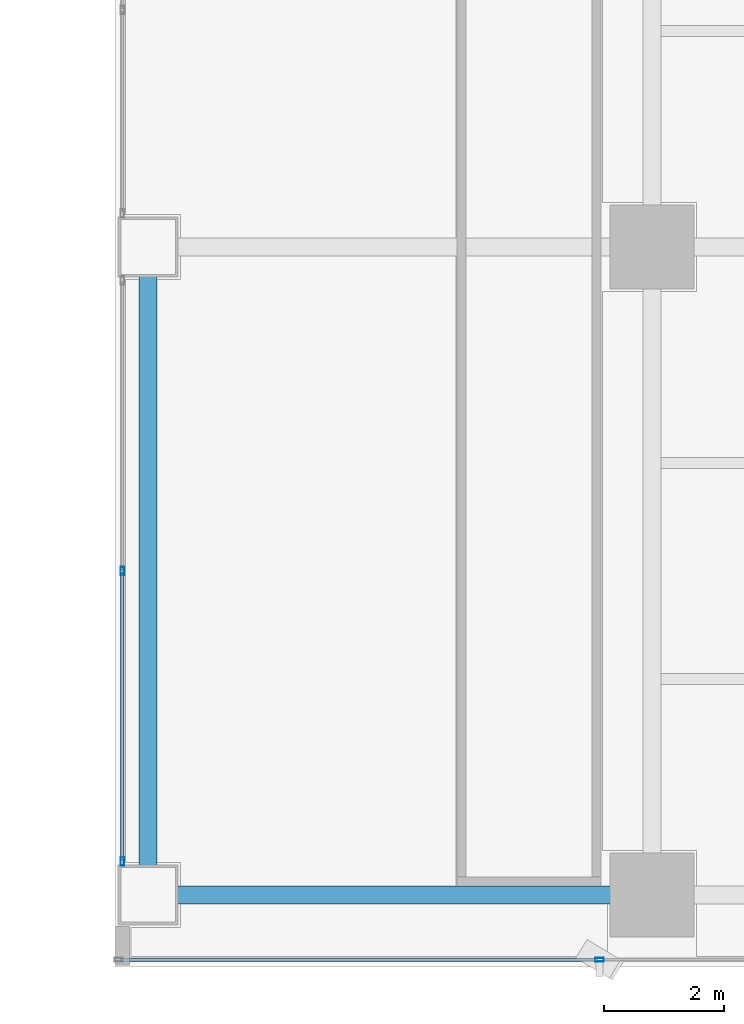
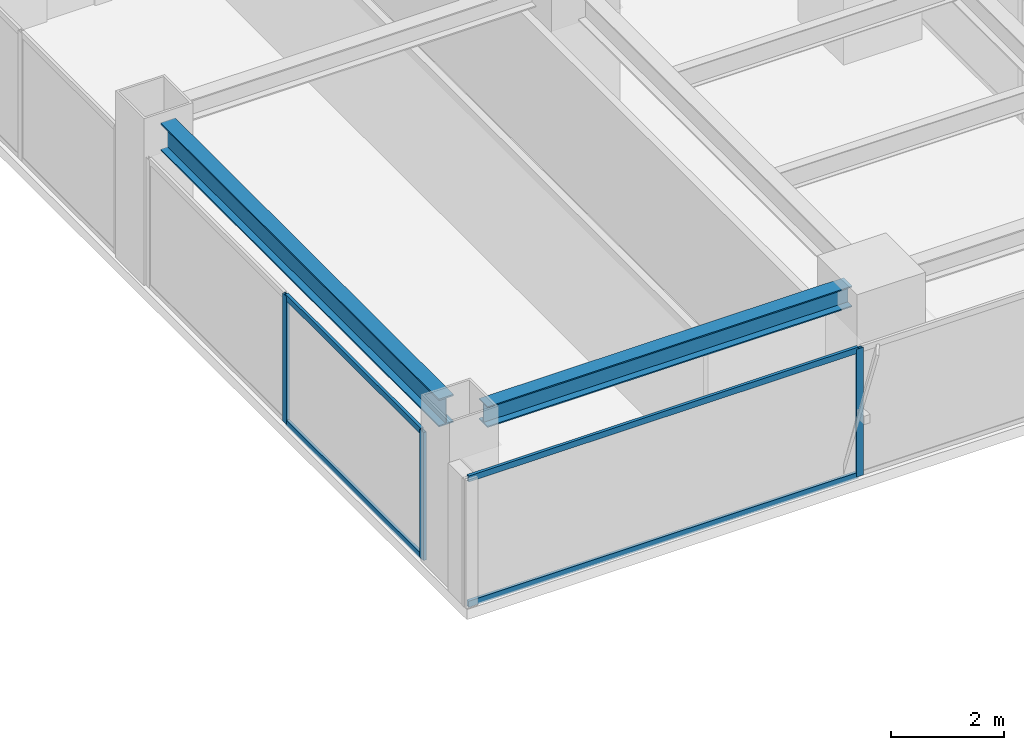
# One storey, part 12 of 29: 7 members, 2 beams, 2 elements without a shape of their own.
"""IFC4 building model written with IfcOpenShell, lengths in metres."""

import ifcopenshell
import ifcopenshell.guid

model = None  # the IFC model being written
_history = None  # IfcOwnerHistory: only IFC2X3 demands one
_inside = {}  # id of a spatial element -> (the spatial element, [elements in it])
_under = {}  # id of a project, library or spatial element -> (it, [spatial elements below it])
_declared = {}  # id of a project -> (the project, [libraries it declares])
_typed = {}  # id of a type object -> (the type object, [elements of that type])
_made_of = {}  # id of a material, layer set ... -> (it, [elements and type objects made of it])


def new_model(schema):
    """Start an empty IFC model of exactly this schema.

    Asked for "IFC4X3", IfcOpenShell would pick the latest addendum, in which some entities
    have other attributes; the version numbers below select the first issue.
    IFC2X3 requires an IfcOwnerHistory on every rooted entity: one is made here for all.
    """
    global model, _history
    if schema == "IFC4X3":
        model = ifcopenshell.file(schema_version=(4, 3, 0, 0))
    else:
        model = ifcopenshell.file(schema=schema)
    _inside.clear()
    _under.clear()
    _declared.clear()
    _typed.clear()
    _made_of.clear()
    _history = None
    if model.schema == "IFC2X3":
        org = make("IfcOrganization", Name="unknown")
        user = make(
            "IfcPersonAndOrganization",
            ThePerson=make("IfcPerson", FamilyName="unknown"),
            TheOrganization=org,
        )
        app = make(
            "IfcApplication",
            ApplicationDeveloper=org,
            Version="unknown",
            ApplicationFullName="unknown",
            ApplicationIdentifier="unknown",
        )
        _history = make(
            "IfcOwnerHistory",
            OwningUser=user,
            OwningApplication=app,
            ChangeAction="ADDED",
            CreationDate=0,
        )
    return model


def make(cls, **values):
    """One entity of the class cls with the attributes given. An attribute that is None is left unset."""
    return model.create_entity(
        cls, **{name: value for name, value in values.items() if value is not None}
    )


def rooted(cls, **values):
    """An entity with a GlobalId (a new one), such as an element, a storey or a relation."""
    return make(cls, GlobalId=ifcopenshell.guid.new(), OwnerHistory=_history, **values)


def si_unit(unit_type, name, prefix=None):
    """IfcSIUnit, for example si_unit("LENGTHUNIT", "METRE", prefix="MILLI")."""
    return make("IfcSIUnit", UnitType=unit_type, Prefix=prefix, Name=name)


def assignment(units):
    """IfcUnitAssignment: the units of a project."""
    return None if units is None else make("IfcUnitAssignment", Units=units)


def point(xyz):
    """IfcCartesianPoint."""
    return None if xyz is None else make("IfcCartesianPoint", Coordinates=xyz)


def direction(xyz):
    """IfcDirection."""
    return None if xyz is None else make("IfcDirection", DirectionRatios=xyz)


def frame(location, z_axis=None, x_axis=None):
    """IfcAxis2Placement3D, a coordinate frame: its origin and axes. An axis left out is left unset."""
    return make(
        "IfcAxis2Placement3D",
        Location=point(location),
        Axis=direction(z_axis),
        RefDirection=direction(x_axis),
    )


def frame_2d(location, x_axis=None):
    """IfcAxis2Placement2D, a coordinate frame in the plane: its origin and x axis."""
    return make(
        "IfcAxis2Placement2D", Location=point(location), RefDirection=direction(x_axis)
    )


def origin():
    """The frame at (0, 0, 0) with its axes left unset."""
    return frame((0.0, 0.0, 0.0))


def origin_2d():
    """The frame at (0, 0) in the plane with its x axis left unset."""
    return frame_2d((0.0, 0.0))


def place(relative_to, where):
    """IfcLocalPlacement: puts the frame where relative to a parent placement (None: the world)."""
    return make(
        "IfcLocalPlacement", PlacementRelTo=relative_to, RelativePlacement=where
    )


def context(
    kind, dimensions, precision=None, world=None, true_north=None, identifier=None
):
    """IfcGeometricRepresentationContext, for example the 3D "Model" context."""
    return make(
        "IfcGeometricRepresentationContext",
        ContextIdentifier=identifier,
        ContextType=kind,
        CoordinateSpaceDimension=dimensions,
        Precision=precision,
        WorldCoordinateSystem=world,
        TrueNorth=true_north,
    )


def subcontext(parent, identifier, kind, view, scale=None):
    """IfcGeometricRepresentationSubContext, for example "Body" below "Model"."""
    return make(
        "IfcGeometricRepresentationSubContext",
        ContextIdentifier=identifier,
        ContextType=kind,
        ParentContext=parent,
        TargetScale=scale,
        TargetView=view,
    )


def project(units=None, contexts=None):
    """IfcProject with its units and contexts."""
    return rooted(
        "IfcProject",
        Name="project",
        RepresentationContexts=contexts,
        UnitsInContext=assignment(units),
    )


def spatial(cls, under=None, at=None, **own):
    """A site, building, storey or space (cls), placed at a placement, below another one or the project."""
    s = rooted(cls, ObjectPlacement=at, **own)
    if under is not None:
        _under.setdefault(under.id(), (under, []))[1].append(s)
    return s


def profile(cls, at=None, kind="AREA", **sizes):
    """A parametric profile (cls). Its sizes go by their IFC names, for example OverallWidth=200.0."""
    return make(cls, ProfileType=kind, Position=at, **sizes)


def hollow_rectangle(**sizes):
    """IfcRectangleHollowProfileDef."""
    return profile("IfcRectangleHollowProfileDef", **sizes)


def i_section(**sizes):
    """IfcIShapeProfileDef."""
    return profile("IfcIShapeProfileDef", **sizes)


def extrude(swept, where, along, depth):
    """IfcExtrudedAreaSolid: the profile swept, set in the frame where, extruded along a direction by depth."""
    return make(
        "IfcExtrudedAreaSolid",
        SweptArea=swept,
        Position=where,
        ExtrudedDirection=direction(along),
        Depth=depth,
    )


def shape(context_of_items, identifier, shape_type, items):
    """IfcShapeRepresentation: the items that make up one representation, for example the "Body"."""
    return make(
        "IfcShapeRepresentation",
        ContextOfItems=context_of_items,
        RepresentationIdentifier=identifier,
        RepresentationType=shape_type,
        Items=items,
    )


def source(mapping_origin, context_of_items, identifier, shape_type, items):
    """IfcRepresentationMap: a shape defined once, which mapped items show again and again."""
    return make(
        "IfcRepresentationMap",
        MappingOrigin=mapping_origin,
        MappedRepresentation=shape(context_of_items, identifier, shape_type, items),
    )


def transform(
    local_origin,
    x_axis=None,
    y_axis=None,
    z_axis=None,
    scale=None,
    scale2=None,
    scale3=None,
    uniform=True,
):
    """IfcCartesianTransformationOperator3D, or its non-uniform kind. x_axis, y_axis, z_axis: its Axis1, 2, 3."""
    if uniform:
        return make(
            "IfcCartesianTransformationOperator3D",
            Axis1=direction(x_axis),
            Axis2=direction(y_axis),
            LocalOrigin=point(local_origin),
            Scale=scale,
            Axis3=direction(z_axis),
        )
    return make(
        "IfcCartesianTransformationOperator3DnonUniform",
        Axis1=direction(x_axis),
        Axis2=direction(y_axis),
        LocalOrigin=point(local_origin),
        Scale=scale,
        Axis3=direction(z_axis),
        Scale2=scale2,
        Scale3=scale3,
    )


def mapped(mapping_source, mapping_target):
    """IfcMappedItem: shows the shape of a source again, moved by a transform."""
    return make(
        "IfcMappedItem", MappingSource=mapping_source, MappingTarget=mapping_target
    )


def material(Name=None, Category=None):
    """IfcMaterial."""
    return make("IfcMaterial", Name=Name, Category=Category)


def layer(
    of_material, thickness, ventilated=None, Name=None, Category=None, Priority=None
):
    """IfcMaterialLayer: one layer of a wall or slab, of a material (None: an air gap)."""
    return make(
        "IfcMaterialLayer",
        Material=of_material,
        LayerThickness=thickness,
        IsVentilated=ventilated,
        Name=Name,
        Category=Category,
        Priority=Priority,
    )


def layer_set(layers, Name=None):
    """IfcMaterialLayerSet."""
    return make("IfcMaterialLayerSet", MaterialLayers=layers, LayerSetName=Name)


def material_profile(
    of_material, cross_section, Name=None, Category=None, Priority=None
):
    """IfcMaterialProfile: a cross section and its material."""
    return make(
        "IfcMaterialProfile",
        Name=Name,
        Material=of_material,
        Profile=cross_section,
        Priority=Priority,
        Category=Category,
    )


def profile_set(profiles, Name=None, composite=None):
    """IfcMaterialProfileSet."""
    return make(
        "IfcMaterialProfileSet",
        Name=Name,
        MaterialProfiles=profiles,
        CompositeProfile=composite,
    )


def made_of(thing, what):
    """Note that an element or type object is made of a material, layer set ...; save() writes the relation."""
    if what is not None:
        _made_of.setdefault(what.id(), (what, []))[1].append(thing)
    return thing


def type_object(cls, material=None, **own):
    """A type object (cls), such as IfcWallType, which elements share."""
    return made_of(rooted(cls, **own), material)


def element(
    cls,
    number,
    at=None,
    inside=None,
    cuts=None,
    type_object=None,
    material=None,
    context=None,
    identifier="Body",
    shape_type=None,
    held_by="IfcProductDefinitionShape",
    body=None,
    shapes=None,
    **own,
):
    """One element of the class cls, such as IfcWall. Its Tag is "e" and its number.

    at: its placement. inside: the storey or other place that contains it. cuts: it is an
    opening in that element (IfcRelVoidsElement). A single representation is given by context,
    identifier, shape_type and body (its items); several are given by shapes. held_by: the class
    of the entity that holds the representations. save() writes the other relations.
    """
    e = rooted(cls, Tag="e%d" % number, ObjectPlacement=at, **own)
    if body is not None:
        shapes = [shape(context, identifier, shape_type, body)]
    if shapes is not None:
        e.Representation = make(held_by, Representations=shapes)
    if inside is not None:
        _inside.setdefault(inside.id(), (inside, []))[1].append(e)
    if cuts is not None:
        rooted(
            "IfcRelVoidsElement", RelatingBuildingElement=cuts, RelatedOpeningElement=e
        )
    if type_object is not None:
        _typed.setdefault(type_object.id(), (type_object, []))[1].append(e)
    return made_of(e, material)


def aggregate(whole, parts):
    """IfcRelAggregates: a whole, such as a stair, and the parts it consists of."""
    return rooted("IfcRelAggregates", RelatingObject=whole, RelatedObjects=parts)


def save(model, path):
    """Write the relations noted so far, then the file.

    IfcRelAggregates (storeys below a building ...), IfcRelContainedInSpatialStructure (elements
    in a storey), IfcRelDefinesByType, IfcRelAssociatesMaterial and IfcRelDeclares: one each for
    every whole, place, type object, material and project.
    """
    for whole, parts in _under.values():
        aggregate(whole, parts)
    for where, things in _inside.values():
        rooted(
            "IfcRelContainedInSpatialStructure",
            RelatedElements=things,
            RelatingStructure=where,
        )
    for kind, things in _typed.values():
        rooted("IfcRelDefinesByType", RelatedObjects=things, RelatingType=kind)
    for what, things in _made_of.values():
        rooted("IfcRelAssociatesMaterial", RelatedObjects=things, RelatingMaterial=what)
    for by, libraries in _declared.values():
        rooted("IfcRelDeclares", RelatingContext=by, RelatedDefinitions=libraries)
    model.write(path)


model = new_model("IFC4")

# Units and contexts
model_context = context("Model", 3, precision=1e-05, world=origin(), true_north=direction((0.0, 1.0)))
body_context = subcontext(model_context, "Body", "Model", "MODEL_VIEW")
ifc_project = project(units=[si_unit("LENGTHUNIT", "METRE"), si_unit("AREAUNIT", "SQUARE_METRE"), si_unit("VOLUMEUNIT", "CUBIC_METRE"), si_unit("PLANEANGLEUNIT", "RADIAN"), si_unit("MASSUNIT", "GRAM", prefix="KILO")], contexts=[model_context])

# Site, building, storey
site_placement = place(None, origin())
site = spatial("IfcSite", under=ifc_project, at=site_placement, CompositionType="ELEMENT")
building_placement = place(site_placement, origin())
building = spatial("IfcBuilding", under=site, at=building_placement, Name="Sumidabori Civic Tower", CompositionType="ELEMENT")
storey_placement = place(building_placement, frame((0.0, 0.0, 207.199951171875)))
storey = spatial("IfcBuildingStorey", under=building, at=storey_placement, Name="L53", CompositionType="ELEMENT", Elevation=207.199951171875)

# Beams
ifc_material_1 = material(Name="Steel SN490", Category="steel")
ifc_material_profile_1 = material_profile(ifc_material_1, i_section(OverallWidth=0.300048828125, OverallDepth=0.60009765625, WebThickness=0.015380859375, FlangeThickness=0.030029296875, at=origin_2d()), Name="HE 600 B")
ifc_profile_set_1 = profile_set([ifc_material_profile_1], Name="Steel SN490")
beam_type_1 = type_object("IfcBeamType", Name="BM-GIRD-600", PredefinedType="BEAM", material=ifc_profile_set_1)
shared_shape_1 = source(origin(), body_context, "Body", "SweptSolid", [
    extrude(i_section(OverallWidth=0.300048828125, OverallDepth=0.60009765625, WebThickness=0.015380859375, FlangeThickness=0.030029296875, at=origin_2d()), origin(), (0.0, 0.0, 1.0), 9.840087890625),
])
beam_1_placement = place(storey_placement, frame((8.39990234375, -10.320068359375, 3.080078125), z_axis=(0.0, 1.0, 0.0), x_axis=(-1.0, 0.0, 0.0)))
element("IfcBeam", 1, at=beam_1_placement, inside=storey, type_object=beam_type_1, Name="Primary Girder L53 GY-18", PredefinedType="BEAM", context=body_context, shape_type="MappedRepresentation", body=[
    mapped(shared_shape_1, transform((0.0, 0.0, 0.0), x_axis=(1.0, 0.0, 0.0), y_axis=(0.0, 1.0, 0.0), z_axis=(0.0, 0.0, 1.0), scale=1.0)),
])
ifc_material_profile_2 = material_profile(ifc_material_1, i_section(OverallWidth=0.300048828125, OverallDepth=0.449951171875, WebThickness=0.013916015625, FlangeThickness=0.02587890625, at=origin_2d()), Name="HE 450 B")
ifc_profile_set_2 = profile_set([ifc_material_profile_2], Name="Steel SN490")
beam_type_2 = type_object("IfcBeamType", Name="BM-GIRD-450", PredefinedType="BEAM", material=ifc_profile_set_2)
shared_shape_2 = source(origin(), body_context, "Body", "SweptSolid", [
    extrude(i_section(OverallWidth=0.300048828125, OverallDepth=0.449951171875, WebThickness=0.013916015625, FlangeThickness=0.02587890625, at=origin_2d()), origin(), (0.0, 0.0, 1.0), 7.440185546875),
])
beam_2_placement = place(storey_placement, frame((8.8798828125, -10.800048828125, 3.155029296875), z_axis=(1.0, 0.0, 0.0), x_axis=(0.0, 1.0, 0.0)))
element("IfcBeam", 2, at=beam_2_placement, inside=storey, type_object=beam_type_2, Name="Primary Girder L53 GX-03", PredefinedType="BEAM", context=body_context, shape_type="MappedRepresentation", body=[
    mapped(shared_shape_2, transform((0.0, 0.0, 0.0), x_axis=(1.0, 0.0, 0.0), y_axis=(0.0, 1.0, 0.0), z_axis=(0.0, 0.0, 1.0), scale=1.0)),
])

# Curtain wall, members
ifc_material_2 = material(Name="Anodised Bronze Aluminium AW-6063-T6", Category="aluminium")
ifc_layer_1 = layer(ifc_material_2, 0.179931640625, Name="Anodised Bronze Aluminium AW-6063-T6")
ifc_layer_set_1 = layer_set([ifc_layer_1], Name="Anodised Bronze Aluminium AW-6063-T6")
curtain_wall_type_1 = type_object("IfcCurtainWallType", Name="CW-SYS-4", PredefinedType="NOTDEFINED", material=ifc_layer_set_1)
curtain_wall_1_placement = place(storey_placement, origin())
curtain_wall_1 = element("IfcCurtainWall", 3, at=curtain_wall_1_placement, inside=storey, type_object=curtain_wall_type_1, Name="Curtain Wall CW:L53:R07", PredefinedType="NOTDEFINED")
ifc_material_profile_3 = material_profile(ifc_material_2, hollow_rectangle(XDim=0.06005859375, YDim=0.139892578125, WallThickness=0.0048828125, at=origin_2d()), Name="ALU MULLION 140x60")
ifc_profile_set_3 = profile_set([ifc_material_profile_3], Name="Anodised Bronze Aluminium AW-6063-T6")
member_type_1 = type_object("IfcMemberType", Name="CW-MUL-140", PredefinedType="MULLION", material=ifc_profile_set_3)
shared_shape_3 = source(origin(), body_context, "Body", "SweptSolid", [
    extrude(hollow_rectangle(XDim=0.06005859375, YDim=0.139892578125, WallThickness=0.0048828125, at=origin_2d()), origin(), (0.0, 0.0, 1.0), 2.760009765625),
])
member_1_placement = place(storey_placement, frame((7.969970703125, -5.39990234375, 0.0), z_axis=(0.0, 0.0, 1.0), x_axis=(1.0, 0.0, 0.0)))
member_1 = element("IfcMember", 4, at=member_1_placement, type_object=member_type_1, Name="CW-4 mullion 2", PredefinedType="MULLION", context=body_context, shape_type="MappedRepresentation", body=[
    mapped(shared_shape_3, transform((0.0, 0.0, 0.0), x_axis=(1.0, 0.0, 0.0), y_axis=(0.0, 1.0, 0.0), z_axis=(0.0, 0.0, 1.0), scale=1.0)),
])
member_2_placement = place(storey_placement, frame((7.969970703125, -10.239990234375, 0.0), z_axis=(0.0, 0.0, 1.0), x_axis=(1.0, 0.0, 0.0)))
member_2 = element("IfcMember", 5, at=member_2_placement, type_object=member_type_1, Name="CW-4 mullion 3", PredefinedType="MULLION", context=body_context, shape_type="MappedRepresentation", body=[
    mapped(shared_shape_3, transform((0.0, 0.0, 0.0), x_axis=(1.0, 0.0, 0.0), y_axis=(0.0, 1.0, 0.0), z_axis=(0.0, 0.0, 1.0), scale=1.0)),
])

ifc_layer_2 = layer(ifc_material_2, 0.179931640625, Name="Anodised Bronze Aluminium AW-6063-T6")
ifc_layer_set_2 = layer_set([ifc_layer_2], Name="Anodised Bronze Aluminium AW-6063-T6")
curtain_wall_type_2 = type_object("IfcCurtainWallType", Name="CW-SYS-5", PredefinedType="NOTDEFINED", material=ifc_layer_set_2)
curtain_wall_2_placement = place(storey_placement, origin())
curtain_wall_2 = element("IfcCurtainWall", 6, at=curtain_wall_2_placement, inside=storey, type_object=curtain_wall_type_2, Name="Curtain Wall CW:L53:R09", PredefinedType="NOTDEFINED")
member_3_placement = place(storey_placement, frame((15.925048828125, -11.8798828125, 0.0), z_axis=(0.0, 0.0, 1.0), x_axis=(0.0, 1.0, 0.0)))
member_3 = element("IfcMember", 7, at=member_3_placement, type_object=member_type_1, Name="CW-5 mullion 2", PredefinedType="MULLION", context=body_context, shape_type="MappedRepresentation", body=[
    mapped(shared_shape_3, transform((0.0, 0.0, 0.0), x_axis=(1.0, 0.0, 0.0), y_axis=(0.0, 1.0, 0.0), z_axis=(0.0, 0.0, 1.0), scale=1.0)),
])
ifc_material_profile_4 = material_profile(ifc_material_2, hollow_rectangle(XDim=0.06005859375, YDim=0.1298828125, WallThickness=0.0048828125, at=origin_2d()), Name="ALU TRANSOM 130x60")
ifc_profile_set_4 = profile_set([ifc_material_profile_4], Name="Anodised Bronze Aluminium AW-6063-T6")
member_type_2 = type_object("IfcMemberType", Name="CW-TRN-130", PredefinedType="USERDEFINED", material=ifc_profile_set_4)
shared_shape_4 = source(origin(), body_context, "Body", "SweptSolid", [
    extrude(hollow_rectangle(XDim=0.06005859375, YDim=0.1298828125, WallThickness=0.0048828125, at=origin_2d()), origin(), (0.0, 0.0, 1.0), 7.955078125),
])
member_4_placement = place(storey_placement, frame((7.93994140625, -11.8798828125, 0.030029296875), z_axis=(1.0, 0.0, 0.0), x_axis=(0.0, 1.0, 0.0)))
member_4 = element("IfcMember", 8, at=member_4_placement, type_object=member_type_2, Name="CW-5 transom 1.1", ObjectType="TRANSOM", PredefinedType="USERDEFINED", context=body_context, shape_type="MappedRepresentation", body=[
    mapped(shared_shape_4, transform((0.0, 0.0, 0.0), x_axis=(1.0, 0.0, 0.0), y_axis=(0.0, 1.0, 0.0), z_axis=(0.0, 0.0, 1.0), scale=1.0)),
])
member_5_placement = place(storey_placement, frame((7.93994140625, -11.8798828125, 2.72998046875), z_axis=(1.0, 0.0, 0.0), x_axis=(0.0, 1.0, 0.0)))
member_5 = element("IfcMember", 9, at=member_5_placement, type_object=member_type_2, Name="CW-5 transom 1.2", ObjectType="TRANSOM", PredefinedType="USERDEFINED", context=body_context, shape_type="MappedRepresentation", body=[
    mapped(shared_shape_4, transform((0.0, 0.0, 0.0), x_axis=(1.0, 0.0, 0.0), y_axis=(0.0, 1.0, 0.0), z_axis=(0.0, 0.0, 1.0), scale=1.0)),
])
aggregate(curtain_wall_2, [member_3, member_4, member_5])

# Member
shared_shape_5 = source(origin(), body_context, "Body", "SweptSolid", [
    extrude(hollow_rectangle(XDim=0.06005859375, YDim=0.1298828125, WallThickness=0.0048828125, at=origin_2d()), origin(), (0.0, 0.0, 1.0), 4.780029296875),
])
member_6_placement = place(storey_placement, frame((7.969970703125, -5.429931640625, 0.030029296875), z_axis=(0.0, -1.0, 0.0), x_axis=(1.0, 0.0, 0.0)))
member_6 = element("IfcMember", 10, at=member_6_placement, type_object=member_type_2, Name="CW-4 transom 2.1", ObjectType="TRANSOM", PredefinedType="USERDEFINED", context=body_context, shape_type="MappedRepresentation", body=[
    mapped(shared_shape_5, transform((0.0, 0.0, 0.0), x_axis=(1.0, 0.0, 0.0), y_axis=(0.0, 1.0, 0.0), z_axis=(0.0, 0.0, 1.0), scale=1.0)),
])

member_7_placement = place(storey_placement, frame((7.969970703125, -5.429931640625, 2.72998046875), z_axis=(0.0, -1.0, 0.0), x_axis=(1.0, 0.0, 0.0)))
member_7 = element("IfcMember", 11, at=member_7_placement, type_object=member_type_2, Name="CW-4 transom 2.2", ObjectType="TRANSOM", PredefinedType="USERDEFINED", context=body_context, shape_type="MappedRepresentation", body=[
    mapped(shared_shape_5, transform((0.0, 0.0, 0.0), x_axis=(1.0, 0.0, 0.0), y_axis=(0.0, 1.0, 0.0), z_axis=(0.0, 0.0, 1.0), scale=1.0)),
])

aggregate(curtain_wall_1, [member_1, member_2, member_6, member_7])

save(model, "model.ifc")
